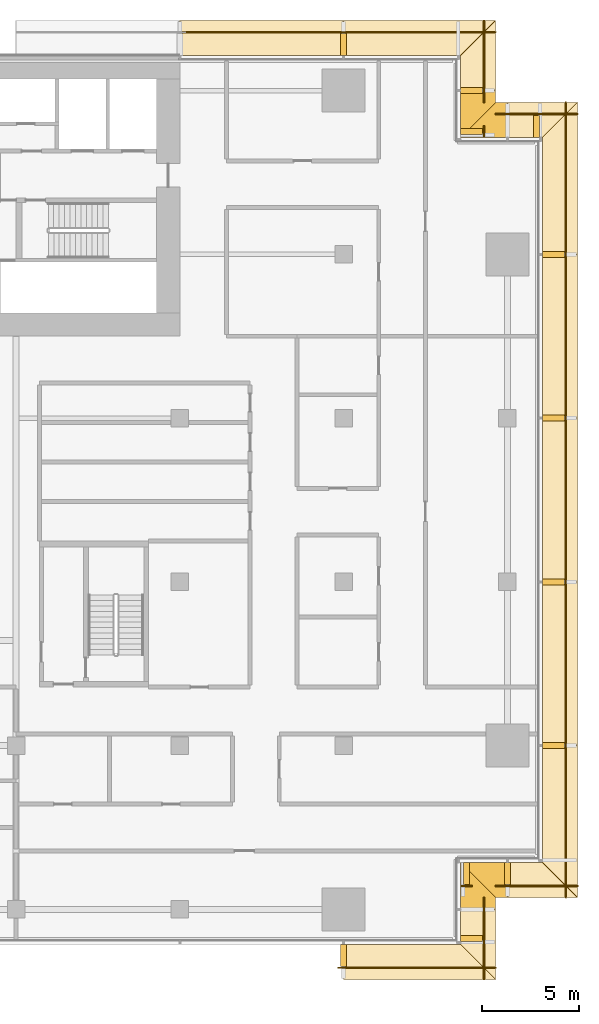
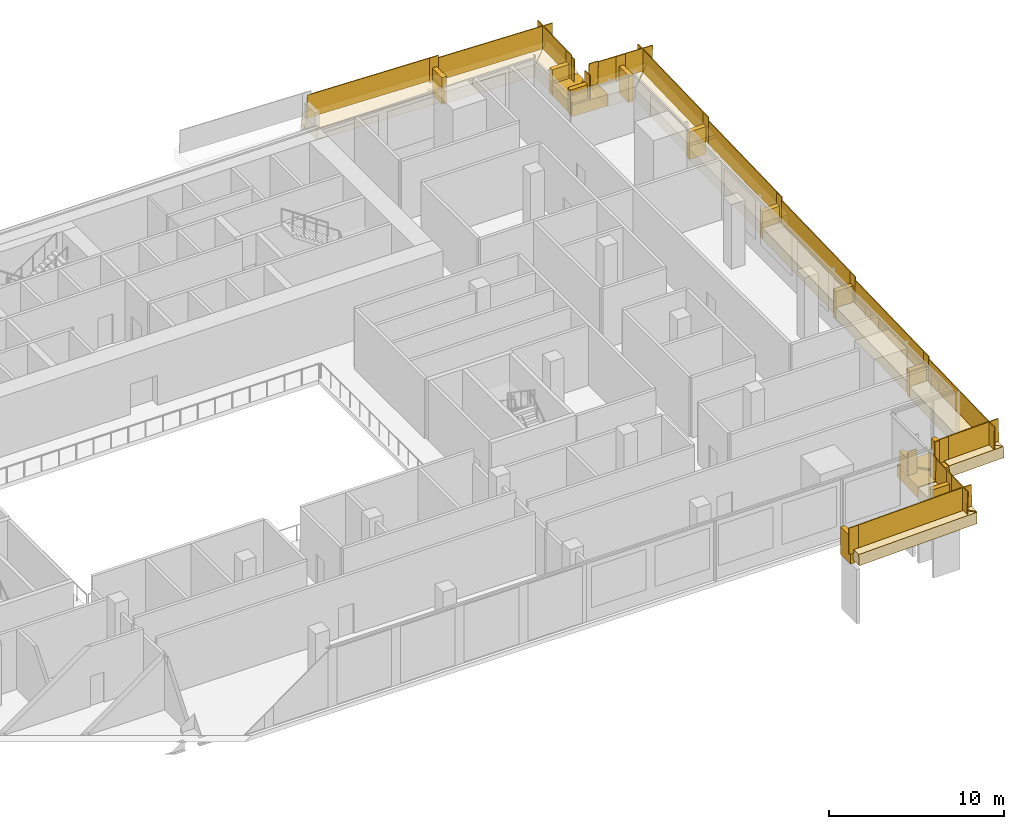
# One storey, part 23 of 23: 28 coverings, 28 railings.
"""IFC4 building model written with IfcOpenShell, lengths in metres."""

from ifc_helpers import new_model, si_unit, direction, frame, origin, origin_2d, place, context, subcontext, project, spatial, polyline, rectangle, outline, extrude, material, layer, layer_set, type_object, element, save


model = new_model("IFC4")

# Units and contexts
model_context = context("Model", 3, precision=1e-05, world=origin(), true_north=direction((0.0, 1.0)))
body_context = subcontext(model_context, "Body", "Model", "MODEL_VIEW")
ifc_project = project(units=[si_unit("LENGTHUNIT", "METRE"), si_unit("AREAUNIT", "SQUARE_METRE"), si_unit("VOLUMEUNIT", "CUBIC_METRE"), si_unit("PLANEANGLEUNIT", "RADIAN"), si_unit("MASSUNIT", "GRAM", prefix="KILO")], contexts=[model_context])

# Site, building, storey
site_placement = place(None, origin())
site = spatial("IfcSite", under=ifc_project, at=site_placement, CompositionType="ELEMENT")
building_placement = place(site_placement, origin())
building = spatial("IfcBuilding", under=site, at=building_placement, Name="Saffron Gate Tower", CompositionType="ELEMENT")
storey_placement = place(building_placement, frame((0.0, 0.0, 23.699951171875)))
storey = spatial("IfcBuildingStorey", under=building, at=storey_placement, Name="L04", CompositionType="ELEMENT", Elevation=23.699951171875)

# Coverings
ifc_material = material(Name="Timber, thermally modified ash", Category="wood")
ifc_layer_1 = layer(ifc_material, 0.800048828125)
ifc_layer_set_1 = layer_set([ifc_layer_1], Name="LD1 ledge timber")
covering_type_1 = type_object("IfcCoveringType", Name="LD1 ledge timber", PredefinedType="CLADDING", material=ifc_layer_set_1)
covering_1_placement = place(storey_placement, frame((117.0, 30.0, 0.0498046875), z_axis=(-0.028789477025, -2.391759e-05, 0.999585496814), x_axis=(0.9995854971, 1.72e-10, 0.028789477033)))
element("IfcCovering", 1, at=covering_1_placement, inside=storey, type_object=covering_type_1, Name="LEDGE", PredefinedType="CLADDING", context=body_context, shape_type="SweptSolid", body=[
    extrude(outline(polyline([(0.0, 0.0), (6.002489288687248, 8.470329472543003e-22), (7.80328207139786, -1.8000488299785034), (-3.0879623774719253e-10, -1.8000488276101398), (0.0, 0.0)])), origin(), (0.0, 0.0, -1.0), 0.800048828125),
])
covering_2_placement = place(storey_placement, frame((123.0, 30.0, 0.3876953125), z_axis=(4.5191264e-05, -0.028786835276, 0.999585572161), x_axis=(2.041e-09, 0.999585573182, 0.028786835305)))
element("IfcCovering", 2, at=covering_2_placement, inside=storey, type_object=covering_type_1, Name="LEDGE", PredefinedType="CLADDING", context=body_context, shape_type="SweptSolid", body=[
    extrude(outline(polyline([(0.0, 0.0), (1.8007927832406818, 0.0), (1.8007927869153135, -1.800048826286925), (-1.8007998076020133, -1.8000488373153904), (0.0, 0.0)])), origin(), (0.0, 0.0, -1.0), 0.800048828125),
])
covering_3_placement = place(storey_placement, frame((123.0, 31.800048828125, 0.489013671875), z_axis=(-2.8677152e-05, -0.028798988267, 0.999585222706), x_axis=(-6.17e-10, 0.999585223117, 0.028798988279)))
element("IfcCovering", 3, at=covering_3_placement, inside=storey, type_object=covering_type_1, Name="LEDGE", PredefinedType="CLADDING", context=body_context, shape_type="SweptSolid", body=[
    extrude(outline(polyline([(0.0, 0.0), (2.400896693585025, 4.235164736271502e-22), (0.6001039103565923, -1.8000488292351675), (-1.1098572600196767e-09, -1.8000488273848385), (0.0, 0.0)])), origin(), (0.0, 0.0, -1.0), 0.800048828125),
])
covering_4_placement = place(storey_placement, frame((123.0, 34.199951171875, 0.624267578125), z_axis=(-0.028798988267, -2.8677152e-05, 0.999585222706), x_axis=(0.999585223117, -6.17e-10, 0.028798988279)))
element("IfcCovering", 4, at=covering_4_placement, inside=storey, type_object=covering_type_1, Name="LEDGE", PredefinedType="CLADDING", context=body_context, shape_type="SweptSolid", body=[
    extrude(outline(polyline([(0.0, 0.0), (2.400896693585025, -4.235164736271502e-22), (2.400896694694882, -1.8000488273848385), (1.8007927832284332, -1.8000488292351673), (0.0, 0.0)])), origin(), (0.0, 0.0, -1.0), 0.800048828125),
])
covering_5_placement = place(storey_placement, frame((125.39990234375, 34.199951171875, 0.75927734375), z_axis=(-0.028831989003, -4.5191205e-05, 0.999584270769), x_axis=(0.999584271789, 2.041e-09, 0.028831989032)))
element("IfcCovering", 5, at=covering_5_placement, inside=storey, type_object=covering_type_1, Name="LEDGE", PredefinedType="CLADDING", context=body_context, shape_type="SweptSolid", body=[
    extrude(outline(polyline([(0.0, 0.0), (1.8007998167885757, 0.0), (3.6015925908427215, -1.800048837315338), (-3.6746077267916745e-09, -1.80004882628693), (0.0, 0.0)])), origin(), (0.0, 0.0, -1.0), 0.800048828125),
])
covering_6_placement = place(storey_placement, frame((127.199951171875, 34.199951171875, 0.86083984375), z_axis=(3.5027307e-05, -0.028807146299, 0.99958498743), x_axis=(3.68e-10, 0.999584988043, 0.028807146316)))
element("IfcCovering", 6, at=covering_6_placement, inside=storey, type_object=covering_type_1, Name="LEDGE", PredefinedType="CLADDING", context=body_context, shape_type="SweptSolid", body=[
    extrude(outline(polyline([(0.0, 0.0), (6.0024892885105, 2.541098841762901e-21), (6.002489289172793, -1.8000488270207489), (-1.800799813548424, -1.8000488321003227), (0.0, 0.0)])), origin(), (0.0, 0.0, -1.0), 0.800048828125),
])
covering_7_placement = place(storey_placement, frame((127.199951171875, 40.199951171875, 1.19873046875), z_axis=(0.0, -0.028790339263, 0.999585472266), x_axis=(0.0, 0.999585472266, 0.028790339263)))
element("IfcCovering", 7, at=covering_7_placement, inside=storey, type_object=covering_type_1, Name="LEDGE", PredefinedType="CLADDING", context=body_context, shape_type="SweptSolid", body=[
    extrude(outline(polyline([(0.0, 0.0), (8.403630022085892, 0.0), (8.403630022085892, -1.800048828125), (0.0, -1.800048828125), (0.0, 0.0)])), origin(), (0.0, 0.0, -1.0), 0.800048828125),
])
for number, where, z_axis, x_axis, name in (
    (8, (127.199951171875, 48.60009765625, 1.671875), (0.0, -0.028791175352, 0.999585448184), (0.0, 0.999585448184, 0.028791175352), "LEDGE"),
    (9, (127.199951171875, 57.0, 2.14501953125), (0.0, -0.028791175352, 0.999585448184), (0.0, 0.999585448184, 0.028791175352), "LEDGE"),
):
    element("IfcCovering", number, at=place(storey_placement, frame(where, z_axis=z_axis, x_axis=x_axis)), inside=storey, type_object=covering_type_1, Name=name, PredefinedType="CLADDING", context=body_context, shape_type="SweptSolid", body=[
        extrude(outline(polyline([(0.0, 0.0), (8.403385982666892, 0.0), (8.403385982666892, -1.800048828125), (0.0, -1.800048828125), (0.0, 0.0)])), origin(), (0.0, 0.0, -1.0), 0.800048828125),
    ])
covering_8_placement = place(storey_placement, frame((127.199951171875, 65.39990234375, 2.617919921875), z_axis=(-3.5027307e-05, -0.028807146299, 0.99958498743), x_axis=(-3.68e-10, 0.999584988043, 0.028807146316)))
element("IfcCovering", 10, at=covering_8_placement, inside=storey, type_object=covering_type_1, Name="LEDGE", PredefinedType="CLADDING", context=body_context, shape_type="SweptSolid", body=[
    extrude(outline(polyline([(0.0, 0.0), (6.0024892885105, -2.541098841762901e-21), (7.8032891020589235, -1.8000488321003227), (-6.622937652878055e-10, -1.8000488270207489), (0.0, 0.0)])), origin(), (0.0, 0.0, -1.0), 0.800048828125),
])
covering_9_placement = place(storey_placement, frame((127.199951171875, 71.39990234375, 2.9560546875), z_axis=(0.028786835276, 4.5191264e-05, 0.999585572161), x_axis=(-0.999585573182, 2.041e-09, 0.028786835305)))
element("IfcCovering", 11, at=covering_9_placement, inside=storey, type_object=covering_type_1, Name="LEDGE", PredefinedType="CLADDING", context=body_context, shape_type="SweptSolid", body=[
    extrude(outline(polyline([(0.0, 0.0), (1.8007927832406818, 0.0), (1.8007927869153135, -1.800048826286925), (-1.8007998076020133, -1.8000488373153904), (0.0, 0.0)])), origin(), (0.0, 0.0, -1.0), 0.800048828125),
])
covering_10_placement = place(storey_placement, frame((125.39990234375, 71.39990234375, 3.057373046875), z_axis=(0.028798988267, -2.8677152e-05, 0.999585222706), x_axis=(-0.999585223117, -6.17e-10, 0.028798988279)))
element("IfcCovering", 12, at=covering_10_placement, inside=storey, type_object=covering_type_1, Name="LEDGE", PredefinedType="CLADDING", context=body_context, shape_type="SweptSolid", body=[
    extrude(outline(polyline([(0.0, 0.0), (2.400896693585025, 4.235164736271502e-22), (0.6001039103565923, -1.8000488292351675), (-1.1098572600196767e-09, -1.8000488273848385), (0.0, 0.0)])), origin(), (0.0, 0.0, -1.0), 0.800048828125),
])
covering_11_placement = place(storey_placement, frame((123.0, 71.39990234375, 3.192626953125), z_axis=(2.6333678e-05, -0.028794305201, 0.999585357683), x_axis=(5.2e-10, 0.99958535803, 0.028794305211)))
element("IfcCovering", 13, at=covering_11_placement, inside=storey, type_object=covering_type_1, Name="LEDGE", PredefinedType="CLADDING", context=body_context, shape_type="SweptSolid", body=[
    extrude(outline(polyline([(0.0, 0.0), (2.401140733194568, 0.0), (2.4011407341303483, -1.8000488275008664), (1.8007927835182762, -1.8000488290612322), (0.0, 0.0)])), origin(), (0.0, 0.0, -1.0), 0.800048828125),
])
covering_12_placement = place(storey_placement, frame((123.0, 73.800048828125, 3.32763671875), z_axis=(4.3887651e-05, -0.028833291474, 0.999584233257), x_axis=(-1.925e-09, 0.99958423422, 0.028833291502)))
element("IfcCovering", 14, at=covering_12_placement, inside=storey, type_object=covering_type_1, Name="LEDGE", PredefinedType="CLADDING", context=body_context, shape_type="SweptSolid", body=[
    extrude(outline(polyline([(0.0, 0.0), (1.8007998168930421, -4.235164736271502e-22), (3.6013485518229187, -1.800048836792318), (-3.4656747156665518e-09, -1.8000488263914396), (0.0, 0.0)])), origin(), (0.0, 0.0, -1.0), 0.800048828125),
])
covering_13_placement = place(storey_placement, frame((123.0, 75.60009765625, 3.428955078125), z_axis=(0.028789477025, -2.3920834e-05, 0.999585496814), x_axis=(-0.9995854971, 1.72e-10, 0.028789477033)))
element("IfcCovering", 15, at=covering_13_placement, inside=storey, type_object=covering_type_1, Name="LEDGE", PredefinedType="CLADDING", context=body_context, shape_type="SweptSolid", body=[
    extrude(outline(polyline([(0.0, 0.0), (6.002489288687248, -8.470329472543003e-22), (6.002489288996045, -1.7998046869850703), (-1.800792782710612, -1.7998046893537554), (0.0, 0.0)])), origin(), (0.0, 0.0, -1.0), 0.800048828125),
])
covering_14_placement = place(storey_placement, frame((117.0, 75.60009765625, 3.76708984375), z_axis=(0.028791175352, 0.0, 0.999585448184), x_axis=(-0.999585448184, 0.0, 0.028791175352)))
element("IfcCovering", 16, at=covering_14_placement, inside=storey, type_object=covering_type_1, Name="LEDGE", PredefinedType="CLADDING", context=body_context, shape_type="SweptSolid", body=[
    extrude(outline(polyline([(0.0, 0.0), (8.403385982666892, 0.0), (8.403385982666892, -1.7998046875), (0.0, -1.7998046875), (0.0, 0.0)])), origin(), (0.0, 0.0, -1.0), 0.800048828125),
])
ifc_layer_2 = layer(ifc_material, 0.300048828125)
ifc_layer_set_2 = layer_set([ifc_layer_2], Name="LD3 ledge riser fin")
covering_type_2 = type_object("IfcCoveringType", Name="LD3 ledge riser fin", PredefinedType="CLADDING", material=ifc_layer_set_2)
covering_15_placement = place(storey_placement, frame((117.0, 29.43994140625, -0.9814453125), z_axis=(0.0, 0.0, 1.0), x_axis=(1.0, 0.0, 0.0)))
element("IfcCovering", 17, at=covering_15_placement, inside=storey, type_object=covering_type_2, Name="LEDGE riser fin", PredefinedType="CLADDING", context=body_context, shape_type="SweptSolid", body=[
    extrude(rectangle(XDim=0.300048828125, YDim=1.1201171875, at=origin_2d()), origin(), (0.0, 0.0, 1.0), 1.93115234375),
])
covering_16_placement = place(storey_placement, frame((123.56005859375, 30.300048828125, -0.5771484375), z_axis=(0.0, 0.0, 1.0), x_axis=(0.0, 1.0, 0.0)))
element("IfcCovering", 18, at=covering_16_placement, inside=storey, type_object=covering_type_2, Name="LEDGE riser fin", PredefinedType="CLADDING", context=body_context, shape_type="SweptSolid", body=[
    extrude(rectangle(XDim=0.300048828125, YDim=1.1201171875, at=origin_2d()), origin(), (0.0, 0.0, 1.0), 1.864990234375),
])
for number, where, z_axis, x_axis, name in (
    (19, (123.300048828125, 33.639892578125, -0.241943359375), (0.0, 0.0, 1.0), (1.0, 0.0, 0.0), "LEDGE riser fin"),
    (20, (125.39990234375, 33.639892578125, -0.106689453125), (0.0, 0.0, 1.0), (1.0, 0.0, 0.0), "LEDGE riser fin"),
):
    element("IfcCovering", number, at=place(storey_placement, frame(where, z_axis=z_axis, x_axis=x_axis)), inside=storey, type_object=covering_type_2, Name=name, PredefinedType="CLADDING", context=body_context, shape_type="SweptSolid", body=[
        extrude(rectangle(XDim=0.300048828125, YDim=1.1201171875, at=origin_2d()), origin(), (0.0, 0.0, 1.0), 1.76611328125),
    ])
covering_17_placement = place(storey_placement, frame((127.760009765625, 40.199951171875, 0.23388671875), z_axis=(0.0, 0.0, 1.0), x_axis=(0.0, 1.0, 0.0)))
element("IfcCovering", 21, at=covering_17_placement, inside=storey, type_object=covering_type_2, Name="LEDGE riser fin", PredefinedType="CLADDING", context=body_context, shape_type="SweptSolid", body=[
    extrude(rectangle(XDim=0.300048828125, YDim=1.1201171875, at=origin_2d()), origin(), (0.0, 0.0, 1.0), 1.864990234375),
])
for number, where, z_axis, x_axis, name in (
    (22, (127.760009765625, 48.60009765625, 0.640625), (0.0, 0.0, 1.0), (0.0, 1.0, 0.0), "LEDGE riser fin"),
    (23, (127.760009765625, 57.0, 1.11376953125), (0.0, 0.0, 1.0), (0.0, 1.0, 0.0), "LEDGE riser fin"),
    (24, (127.760009765625, 65.39990234375, 1.5869140625), (0.0, 0.0, 1.0), (0.0, 1.0, 0.0), "LEDGE riser fin"),
):
    element("IfcCovering", number, at=place(storey_placement, frame(where, z_axis=z_axis, x_axis=x_axis)), inside=storey, type_object=covering_type_2, Name=name, PredefinedType="CLADDING", context=body_context, shape_type="SweptSolid", body=[
        extrude(rectangle(XDim=0.300048828125, YDim=1.1201171875, at=origin_2d()), origin(), (0.0, 0.0, 1.0), 1.93115234375),
    ])
covering_18_placement = place(storey_placement, frame((126.89990234375, 71.9599609375, 1.99072265625), z_axis=(0.0, 0.0, 1.0), x_axis=(-1.0, 0.0, 0.0)))
element("IfcCovering", 25, at=covering_18_placement, inside=storey, type_object=covering_type_2, Name="LEDGE riser fin", PredefinedType="CLADDING", context=body_context, shape_type="SweptSolid", body=[
    extrude(rectangle(XDim=0.300048828125, YDim=1.1201171875, at=origin_2d()), origin(), (0.0, 0.0, 1.0), 1.864990234375),
])
for number, where, z_axis, x_axis, name in (
    (26, (123.56005859375, 71.699951171875, 2.326416015625), (0.0, 0.0, 1.0), (0.0, 1.0, 0.0), "LEDGE riser fin"),
    (27, (123.56005859375, 73.800048828125, 2.461669921875), (0.0, 0.0, 1.0), (0.0, 1.0, 0.0), "LEDGE riser fin"),
):
    element("IfcCovering", number, at=place(storey_placement, frame(where, z_axis=z_axis, x_axis=x_axis)), inside=storey, type_object=covering_type_2, Name=name, PredefinedType="CLADDING", context=body_context, shape_type="SweptSolid", body=[
        extrude(rectangle(XDim=0.300048828125, YDim=1.1201171875, at=origin_2d()), origin(), (0.0, 0.0, 1.0), 1.76611328125),
    ])
covering_19_placement = place(storey_placement, frame((117.0, 76.159912109375, 2.8017578125), z_axis=(0.0, 0.0, 1.0), x_axis=(-1.0, 0.0, 0.0)))
element("IfcCovering", 28, at=covering_19_placement, inside=storey, type_object=covering_type_2, Name="LEDGE riser fin", PredefinedType="CLADDING", context=body_context, shape_type="SweptSolid", body=[
    extrude(rectangle(XDim=0.300048828125, YDim=1.1201171875, at=origin_2d()), origin(), (0.0, 0.0, 1.0), 1.864990234375),
])

# Railings
railing_type = type_object("IfcRailingType", Name="LG1 ledge balustrade", PredefinedType="BALUSTRADE", material=ifc_material)
railing_1_placement = place(storey_placement, frame((117.0, 28.800048828125, 0.0498046875)))
element("IfcRailing", 29, at=railing_1_placement, inside=storey, type_object=railing_type, Name="LEDGE BALUSTRADE", PredefinedType="BALUSTRADE", context=body_context, shape_type="SweptSolid", body=[
    extrude(rectangle(XDim=0.06005859375, YDim=1.60009765625, at=origin_2d()), frame((0.0, 0.0, 0.800048828125), z_axis=(0.999585655924, 0.0, 0.028783962047), x_axis=(0.0, 1.0, 0.0)), (0.0, 0.0, 1.0), 7.80322265625),
])
railing_2_placement = place(storey_placement, frame((116.699951171875, 28.800048828125, -0.181396484375)))
element("IfcRailing", 30, at=railing_2_placement, inside=storey, type_object=railing_type, Name="LEDGE BALUSTRADE", PredefinedType="BALUSTRADE", context=body_context, shape_type="SweptSolid", body=[
    extrude(rectangle(XDim=0.06005859375, YDim=1.8310546875, at=origin_2d()), frame((0.0, 0.0, 0.91552734375), z_axis=(1.0, 0.0, 0.0), x_axis=(0.0, 1.0, 0.0)), (0.0, 0.0, 1.0), 0.60009765625),
])
railing_3_placement = place(storey_placement, frame((124.199951171875, 28.199951171875, 0.335693359375)))
element("IfcRailing", 31, at=railing_3_placement, inside=storey, type_object=railing_type, Name="LEDGE BALUSTRADE", PredefinedType="BALUSTRADE", context=body_context, shape_type="SweptSolid", body=[
    extrude(rectangle(XDim=0.06005859375, YDim=1.60009765625, at=origin_2d()), frame((0.0, 0.0, 0.800048828125), z_axis=(0.0, 0.99958492274, 0.028809412191), x_axis=(-1.0, 0.0, 0.0)), (0.0, 0.0, 1.0), 3.6015625),
])
railing_4_placement = place(storey_placement, frame((124.199951171875, 30.0, 0.22265625)))
element("IfcRailing", 32, at=railing_4_placement, inside=storey, type_object=railing_type, Name="LEDGE BALUSTRADE", PredefinedType="BALUSTRADE", context=body_context, shape_type="SweptSolid", body=[
    extrude(rectangle(XDim=0.06005859375, YDim=1.76513671875, at=origin_2d()), frame((0.0, 0.0, 0.882568359375), z_axis=(0.0, 1.0, 0.0), x_axis=(-1.0, 0.0, 0.0)), (0.0, 0.0, 1.0), 0.60009765625),
])
railing_5_placement = place(storey_placement, frame((124.199951171875, 31.800048828125, 0.489013671875)))
element("IfcRailing", 33, at=railing_5_placement, inside=storey, type_object=railing_type, Name="LEDGE BALUSTRADE", PredefinedType="BALUSTRADE", context=body_context, shape_type="SweptSolid", body=[
    extrude(rectangle(XDim=0.06005859375, YDim=1.60009765625, at=origin_2d()), frame((0.0, 0.0, 0.800048828125), z_axis=(0.0, 0.999582742162, 0.028884971385), x_axis=(-1.0, 0.0, 0.0)), (0.0, 0.0, 1.0), 0.60009765625),
])
railing_6_placement = place(storey_placement, frame((124.800048828125, 33.0, 0.676025390625)))
element("IfcRailing", 34, at=railing_6_placement, inside=storey, type_object=railing_type, Name="LEDGE BALUSTRADE", PredefinedType="BALUSTRADE", context=body_context, shape_type="SweptSolid", body=[
    extrude(rectangle(XDim=0.06005859375, YDim=1.60009765625, at=origin_2d()), frame((0.0, 0.0, 0.800048828125), z_axis=(0.999582742162, 0.0, 0.028884971385), x_axis=(0.0, 1.0, 0.0)), (0.0, 0.0, 1.0), 0.60009765625),
])
railing_7_placement = place(storey_placement, frame((123.0, 33.0, 0.55810546875)))
element("IfcRailing", 35, at=railing_7_placement, inside=storey, type_object=railing_type, Name="LEDGE BALUSTRADE", PredefinedType="BALUSTRADE", context=body_context, shape_type="SweptSolid", body=[
    extrude(rectangle(XDim=0.06005859375, YDim=1.666015625, at=origin_2d()), frame((0.0, 0.0, 0.8330078125), z_axis=(1.0, 0.0, 0.0), x_axis=(0.0, 1.0, 0.0)), (0.0, 0.0, 1.0), 0.60009765625),
])
railing_8_placement = place(storey_placement, frame((125.39990234375, 33.0, 0.75927734375)))
element("IfcRailing", 36, at=railing_8_placement, inside=storey, type_object=railing_type, Name="LEDGE BALUSTRADE", PredefinedType="BALUSTRADE", context=body_context, shape_type="SweptSolid", body=[
    extrude(rectangle(XDim=0.06005859375, YDim=1.60009765625, at=origin_2d()), frame((0.0, 0.0, 0.800048828125), z_axis=(0.99958492274, 0.0, 0.028809412191), x_axis=(0.0, 1.0, 0.0)), (0.0, 0.0, 1.0), 3.6015625),
])
railing_9_placement = place(storey_placement, frame((125.10009765625, 33.0, 0.693359375)))
element("IfcRailing", 37, at=railing_9_placement, inside=storey, type_object=railing_type, Name="LEDGE BALUSTRADE", PredefinedType="BALUSTRADE", context=body_context, shape_type="SweptSolid", body=[
    extrude(rectangle(XDim=0.06005859375, YDim=1.666015625, at=origin_2d()), frame((0.0, 0.0, 0.8330078125), z_axis=(1.0, 0.0, 0.0), x_axis=(0.0, 1.0, 0.0)), (0.0, 0.0, 1.0), 0.599853515625),
])
railing_10_placement = place(storey_placement, frame((128.39990234375, 32.39990234375, 0.808837890625)))
element("IfcRailing", 38, at=railing_10_placement, inside=storey, type_object=railing_type, Name="LEDGE BALUSTRADE", PredefinedType="BALUSTRADE", context=body_context, shape_type="SweptSolid", body=[
    extrude(rectangle(XDim=0.06005859375, YDim=1.60009765625, at=origin_2d()), frame((0.0, 0.0, 0.800048828125), z_axis=(0.0, 0.999584755248, 0.028815222999), x_axis=(-1.0, 0.0, 0.0)), (0.0, 0.0, 1.0), 7.80322265625),
])
railing_11_placement = place(storey_placement, frame((128.39990234375, 40.199951171875, 1.19873046875)))
element("IfcRailing", 39, at=railing_11_placement, inside=storey, type_object=railing_type, Name="LEDGE BALUSTRADE", PredefinedType="BALUSTRADE", context=body_context, shape_type="SweptSolid", body=[
    extrude(rectangle(XDim=0.06005859375, YDim=1.60009765625, at=origin_2d()), frame((0.0, 0.0, 0.800048828125), z_axis=(0.0, 0.999585472266, 0.028790339263), x_axis=(-1.0, 0.0, 0.0)), (0.0, 0.0, 1.0), 8.403564453125),
])
railing_12_placement = place(storey_placement, frame((128.39990234375, 39.89990234375, 1.03369140625)))
element("IfcRailing", 40, at=railing_12_placement, inside=storey, type_object=railing_type, Name="LEDGE BALUSTRADE", PredefinedType="BALUSTRADE", context=body_context, shape_type="SweptSolid", body=[
    extrude(rectangle(XDim=0.06005859375, YDim=1.76513671875, at=origin_2d()), frame((0.0, 0.0, 0.882568359375), z_axis=(0.0, 1.0, 0.0), x_axis=(-1.0, 0.0, 0.0)), (0.0, 0.0, 1.0), 0.60009765625),
])
railing_13_placement = place(storey_placement, frame((128.39990234375, 48.60009765625, 1.671875)))
element("IfcRailing", 41, at=railing_13_placement, inside=storey, type_object=railing_type, Name="LEDGE BALUSTRADE", PredefinedType="BALUSTRADE", context=body_context, shape_type="SweptSolid", body=[
    extrude(rectangle(XDim=0.06005859375, YDim=1.60009765625, at=origin_2d()), frame((0.0, 0.0, 0.800048828125), z_axis=(0.0, 0.999585448184, 0.028791175352), x_axis=(-1.0, 0.0, 0.0)), (0.0, 0.0, 1.0), 8.4033203125),
])
railing_14_placement = place(storey_placement, frame((128.39990234375, 48.300048828125, 1.440673828125)))
element("IfcRailing", 42, at=railing_14_placement, inside=storey, type_object=railing_type, Name="LEDGE BALUSTRADE", PredefinedType="BALUSTRADE", context=body_context, shape_type="SweptSolid", body=[
    extrude(rectangle(XDim=0.06005859375, YDim=1.8310546875, at=origin_2d()), frame((0.0, 0.0, 0.91552734375), z_axis=(0.0, 1.0, 0.0), x_axis=(-1.0, 0.0, 0.0)), (0.0, 0.0, 1.0), 0.599853515625),
])
railing_15_placement = place(storey_placement, frame((128.39990234375, 57.0, 2.14501953125)))
element("IfcRailing", 43, at=railing_15_placement, inside=storey, type_object=railing_type, Name="LEDGE BALUSTRADE", PredefinedType="BALUSTRADE", context=body_context, shape_type="SweptSolid", body=[
    extrude(rectangle(XDim=0.06005859375, YDim=1.60009765625, at=origin_2d()), frame((0.0, 0.0, 0.800048828125), z_axis=(0.0, 0.999585448184, 0.028791175352), x_axis=(-1.0, 0.0, 0.0)), (0.0, 0.0, 1.0), 8.4033203125),
])
railing_16_placement = place(storey_placement, frame((128.39990234375, 56.699951171875, 1.913818359375)))
element("IfcRailing", 44, at=railing_16_placement, inside=storey, type_object=railing_type, Name="LEDGE BALUSTRADE", PredefinedType="BALUSTRADE", context=body_context, shape_type="SweptSolid", body=[
    extrude(rectangle(XDim=0.06005859375, YDim=1.8310546875, at=origin_2d()), frame((0.0, 0.0, 0.91552734375), z_axis=(0.0, 1.0, 0.0), x_axis=(-1.0, 0.0, 0.0)), (0.0, 0.0, 1.0), 0.60009765625),
])
railing_17_placement = place(storey_placement, frame((128.39990234375, 65.39990234375, 2.617919921875)))
element("IfcRailing", 45, at=railing_17_placement, inside=storey, type_object=railing_type, Name="LEDGE BALUSTRADE", PredefinedType="BALUSTRADE", context=body_context, shape_type="SweptSolid", body=[
    extrude(rectangle(XDim=0.06005859375, YDim=1.60009765625, at=origin_2d()), frame((0.0, 0.0, 0.800048828125), z_axis=(0.0, 0.999584755248, 0.028815222999), x_axis=(-1.0, 0.0, 0.0)), (0.0, 0.0, 1.0), 7.80322265625),
])
railing_18_placement = place(storey_placement, frame((128.39990234375, 65.10009765625, 2.386962890625)))
element("IfcRailing", 46, at=railing_18_placement, inside=storey, type_object=railing_type, Name="LEDGE BALUSTRADE", PredefinedType="BALUSTRADE", context=body_context, shape_type="SweptSolid", body=[
    extrude(rectangle(XDim=0.06005859375, YDim=1.8310546875, at=origin_2d()), frame((0.0, 0.0, 0.91552734375), z_axis=(0.0, 1.0, 0.0), x_axis=(-1.0, 0.0, 0.0)), (0.0, 0.0, 1.0), 0.599853515625),
])
railing_19_placement = place(storey_placement, frame((129.0, 72.60009765625, 2.904052734375)))
element("IfcRailing", 47, at=railing_19_placement, inside=storey, type_object=railing_type, Name="LEDGE BALUSTRADE", PredefinedType="BALUSTRADE", context=body_context, shape_type="SweptSolid", body=[
    extrude(rectangle(XDim=0.06005859375, YDim=1.60009765625, at=origin_2d()), frame((0.0, 0.0, 0.800048828125), z_axis=(-0.99958492274, 0.0, 0.028809412191), x_axis=(0.0, -1.0, 0.0)), (0.0, 0.0, 1.0), 3.6015625),
])
railing_20_placement = place(storey_placement, frame((127.199951171875, 72.60009765625, 2.790771484375)))
element("IfcRailing", 48, at=railing_20_placement, inside=storey, type_object=railing_type, Name="LEDGE BALUSTRADE", PredefinedType="BALUSTRADE", context=body_context, shape_type="SweptSolid", body=[
    extrude(rectangle(XDim=0.06005859375, YDim=1.76513671875, at=origin_2d()), frame((0.0, 0.0, 0.882568359375), z_axis=(-1.0, 0.0, 0.0), x_axis=(0.0, -1.0, 0.0)), (0.0, 0.0, 1.0), 0.599853515625),
])
railing_21_placement = place(storey_placement, frame((125.39990234375, 72.60009765625, 3.057373046875)))
element("IfcRailing", 49, at=railing_21_placement, inside=storey, type_object=railing_type, Name="LEDGE BALUSTRADE", PredefinedType="BALUSTRADE", context=body_context, shape_type="SweptSolid", body=[
    extrude(rectangle(XDim=0.06005859375, YDim=1.60009765625, at=origin_2d()), frame((0.0, 0.0, 0.800048828125), z_axis=(-0.999582742162, 0.0, 0.028884971385), x_axis=(0.0, -1.0, 0.0)), (0.0, 0.0, 1.0), 0.60009765625),
])
railing_22_placement = place(storey_placement, frame((124.199951171875, 73.199951171875, 3.244384765625)))
element("IfcRailing", 50, at=railing_22_placement, inside=storey, type_object=railing_type, Name="LEDGE BALUSTRADE", PredefinedType="BALUSTRADE", context=body_context, shape_type="SweptSolid", body=[
    extrude(rectangle(XDim=0.06005859375, YDim=1.60009765625, at=origin_2d()), frame((0.0, 0.0, 0.800048828125), z_axis=(0.0, 0.999583081391, 0.028873229772), x_axis=(-1.0, 0.0, 0.0)), (0.0, 0.0, 1.0), 0.600341796875),
])
railing_23_placement = place(storey_placement, frame((124.199951171875, 71.39990234375, 3.12646484375)))
element("IfcRailing", 51, at=railing_23_placement, inside=storey, type_object=railing_type, Name="LEDGE BALUSTRADE", PredefinedType="BALUSTRADE", context=body_context, shape_type="SweptSolid", body=[
    extrude(rectangle(XDim=0.06005859375, YDim=1.666015625, at=origin_2d()), frame((0.0, 0.0, 0.8330078125), z_axis=(0.0, 1.0, 0.0), x_axis=(-1.0, 0.0, 0.0)), (0.0, 0.0, 1.0), 0.60009765625),
])
railing_24_placement = place(storey_placement, frame((124.199951171875, 73.800048828125, 3.32763671875)))
element("IfcRailing", 52, at=railing_24_placement, inside=storey, type_object=railing_type, Name="LEDGE BALUSTRADE", PredefinedType="BALUSTRADE", context=body_context, shape_type="SweptSolid", body=[
    extrude(rectangle(XDim=0.06005859375, YDim=1.60009765625, at=origin_2d()), frame((0.0, 0.0, 0.800048828125), z_axis=(0.0, 0.999584866472, 0.028811364412), x_axis=(-1.0, 0.0, 0.0)), (0.0, 0.0, 1.0), 3.601318359375),
])
railing_25_placement = place(storey_placement, frame((124.199951171875, 73.5, 3.26171875)))
element("IfcRailing", 53, at=railing_25_placement, inside=storey, type_object=railing_type, Name="LEDGE BALUSTRADE", PredefinedType="BALUSTRADE", context=body_context, shape_type="SweptSolid", body=[
    extrude(rectangle(XDim=0.06005859375, YDim=1.666015625, at=origin_2d()), frame((0.0, 0.0, 0.8330078125), z_axis=(0.0, 1.0, 0.0), x_axis=(-1.0, 0.0, 0.0)), (0.0, 0.0, 1.0), 0.60009765625),
])
railing_26_placement = place(storey_placement, frame((124.800048828125, 76.800048828125, 3.377197265625)))
element("IfcRailing", 54, at=railing_26_placement, inside=storey, type_object=railing_type, Name="LEDGE BALUSTRADE", PredefinedType="BALUSTRADE", context=body_context, shape_type="SweptSolid", body=[
    extrude(rectangle(XDim=0.06005859375, YDim=1.60009765625, at=origin_2d()), frame((0.0, 0.0, 0.800048828125), z_axis=(-0.999585655924, 0.0, 0.028783962047), x_axis=(0.0, -1.0, 0.0)), (0.0, 0.0, 1.0), 7.80322265625),
])
railing_27_placement = place(storey_placement, frame((117.0, 76.800048828125, 3.76708984375)))
element("IfcRailing", 55, at=railing_27_placement, inside=storey, type_object=railing_type, Name="LEDGE BALUSTRADE", PredefinedType="BALUSTRADE", context=body_context, shape_type="SweptSolid", body=[
    extrude(rectangle(XDim=0.06005859375, YDim=1.60009765625, at=origin_2d()), frame((0.0, 0.0, 0.800048828125), z_axis=(-0.999585448184, 0.0, 0.028791175352), x_axis=(0.0, -1.0, 0.0)), (0.0, 0.0, 1.0), 8.4033203125),
])
railing_28_placement = place(storey_placement, frame((117.300048828125, 76.800048828125, 3.601806640625)))
element("IfcRailing", 56, at=railing_28_placement, inside=storey, type_object=railing_type, Name="LEDGE BALUSTRADE", PredefinedType="BALUSTRADE", context=body_context, shape_type="SweptSolid", body=[
    extrude(rectangle(XDim=0.06005859375, YDim=1.76513671875, at=origin_2d()), frame((0.0, 0.0, 0.882568359375), z_axis=(-1.0, 0.0, 0.0), x_axis=(0.0, -1.0, 0.0)), (0.0, 0.0, 1.0), 0.60009765625),
])

save(model, "model.ifc")
